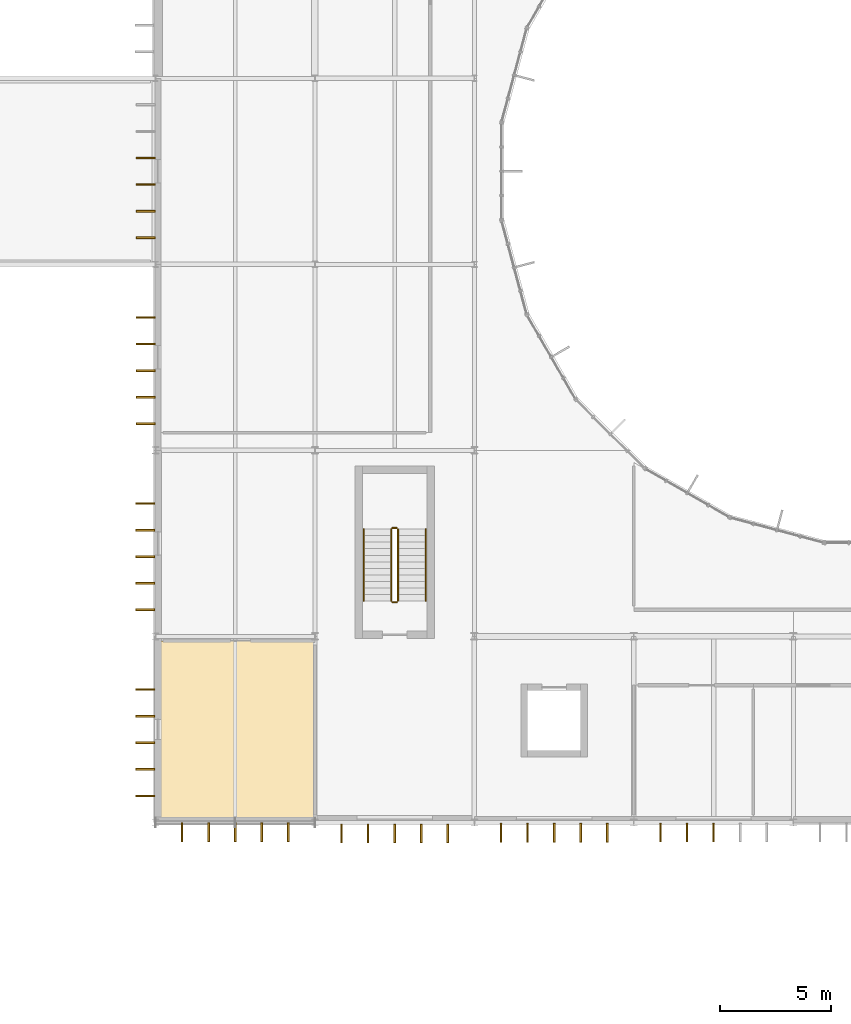
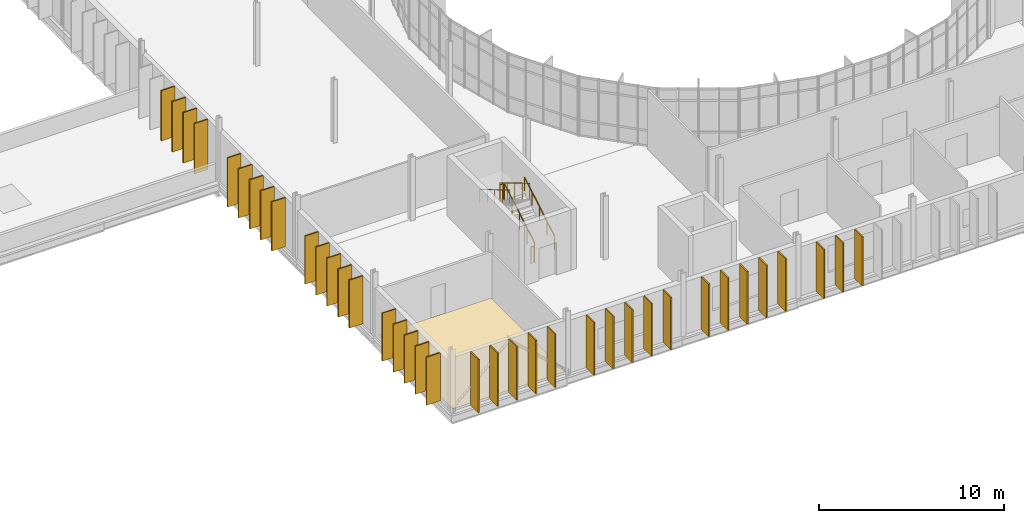
# One storey, part 52 of 61: 37 shading devices, 6 railings, 1 covering.
"""IFC4 building model written with IfcOpenShell, lengths in metres."""

from ifc_helpers import new_model, si_unit, direction, frame, origin, origin_2d, place, context, subcontext, project, spatial, polyline, rectangle, circle, outline, extrude, material, layer, layer_set, type_object, element, save


model = new_model("IFC4")

# Units and contexts
model_context = context("Model", 3, precision=1e-05, world=origin(), true_north=direction((0.0, 1.0)))
body_context = subcontext(model_context, "Body", "Model", "MODEL_VIEW")
ifc_project = project(units=[si_unit("LENGTHUNIT", "METRE"), si_unit("AREAUNIT", "SQUARE_METRE"), si_unit("VOLUMEUNIT", "CUBIC_METRE"), si_unit("PLANEANGLEUNIT", "RADIAN"), si_unit("MASSUNIT", "GRAM", prefix="KILO")], contexts=[model_context])

# Site, building, storey
site_placement = place(None, origin())
site = spatial("IfcSite", under=ifc_project, at=site_placement, CompositionType="ELEMENT")
building_placement = place(site_placement, origin())
building = spatial("IfcBuilding", under=site, at=building_placement, Name="Qelthora Terrace Specialist Clinic", CompositionType="ELEMENT")
storey_placement = place(building_placement, frame((0.0, 0.0, 13.199951171875)))
storey = spatial("IfcBuildingStorey", under=building, at=storey_placement, Name="L03", CompositionType="ELEMENT", Elevation=13.199951171875)

# Covering
ifc_material_1 = material(Name="Antimicrobial clinical linoleum flooring", Category="other")
ifc_layer = layer(ifc_material_1, 0.011962890625)
ifc_layer_set = layer_set([ifc_layer], Name="Antimicrobial clinical linoleum flooring")
covering_type = type_object("IfcCoveringType", Name="COV-FLR-LINO-12", PredefinedType="FLOORING", material=ifc_layer_set)
covering_placement = place(storey_placement, origin())
element("IfcCovering", 1, at=covering_placement, inside=storey, type_object=covering_type, Name="Minor Ophthalmic Laser Room L03-30 resilient linoleum flooring", PredefinedType="FLOORING", context=body_context, shape_type="SweptSolid", body=[
    extrude(outline(polyline([(93.75, 33.75), (93.75, 41.800048828125), (100.800048828125, 41.800048828125), (100.800048828125, 33.75), (93.75, 33.75)])), origin(), (0.0, 0.0, 1.0), 0.011962890625),
])

# Railings
ifc_material_2 = material(Name="Steel S355", Category="steel")
railing_type_1 = type_object("IfcRailingType", Name="RAL-GD-1100-S355", PredefinedType="GUARDRAIL", material=ifc_material_2)
railing_1_placement = place(storey_placement, frame((104.550048828125, 43.60009765625, 0.175048828125)))
element("IfcRailing", 2, at=railing_1_placement, inside=storey, type_object=railing_type_1, Name="L03 ST-05 stair guard 1", PredefinedType="GUARDRAIL", context=body_context, shape_type="SweptSolid", body=[
    extrude(circle(Radius=0.02392578125, at=origin_2d()), frame((0.0, 0.0, 1.076171875), z_axis=(0.0, 0.860040215814, 0.510226250974), x_axis=(-1.0, 0.0, 0.0)), (0.0, 0.0, 1.0), 3.77294921875),
    extrude(circle(Radius=0.02099609375, at=origin_2d()), origin(), (0.0, 0.0, 1.0), 1.052001953125),
    extrude(circle(Radius=0.02099609375, at=origin_2d()), frame((0.0, 0.811279296875, 0.481201171875)), (0.0, 0.0, 1.0), 1.052001953125),
    extrude(circle(Radius=0.02099609375, at=origin_2d()), frame((0.0, 1.62255859375, 0.96240234375)), (0.0, 0.0, 1.0), 1.052001953125),
    extrude(circle(Radius=0.02099609375, at=origin_2d()), frame((0.0, 2.43359375, 1.44384765625)), (0.0, 0.0, 1.0), 1.052001953125),
    extrude(circle(Radius=0.02099609375, at=origin_2d()), frame((0.0, 3.244873046875, 1.925048828125)), (0.0, 0.0, 1.0), 1.052001953125),
])
railing_2_placement = place(storey_placement, frame((104.5, 46.89501953125, 2.10009765625)))
element("IfcRailing", 3, at=railing_2_placement, inside=storey, type_object=railing_type_1, Name="L03 ST-05 stair guard 2", PredefinedType="GUARDRAIL", context=body_context, shape_type="SweptSolid", body=[
    extrude(circle(Radius=0.02392578125, at=origin_2d()), frame((0.0, 0.0, 1.076171875), z_axis=(-1.0, 0.0, 0.0), x_axis=(0.0, -1.0, 0.0)), (0.0, 0.0, 1.0), 0.199951171875),
    extrude(circle(Radius=0.02099609375, at=origin_2d()), origin(), (0.0, 0.0, 1.0), 1.052001953125),
    extrude(circle(Radius=0.02099609375, at=origin_2d()), frame((-0.199951171875, 0.0, 0.0)), (0.0, 0.0, 1.0), 1.052001953125),
])
railing_3_placement = place(storey_placement, frame((104.25, 46.844970703125, 2.275146484375)))
element("IfcRailing", 4, at=railing_3_placement, inside=storey, type_object=railing_type_1, Name="L03 ST-05 stair guard 3", PredefinedType="GUARDRAIL", context=body_context, shape_type="SweptSolid", body=[
    extrude(circle(Radius=0.02392578125, at=origin_2d()), frame((0.0, 0.0, 1.076171875), z_axis=(0.0, -0.860068610471, 0.510178385746), x_axis=(1.0, 0.0, 0.0)), (0.0, 0.0, 1.0), 3.772705078125),
    extrude(circle(Radius=0.02099609375, at=origin_2d()), origin(), (0.0, 0.0, 1.0), 1.052001953125),
    extrude(circle(Radius=0.02099609375, at=origin_2d()), frame((0.0, -0.811279296875, 0.481201171875)), (0.0, 0.0, 1.0), 1.052001953125),
    extrude(circle(Radius=0.02099609375, at=origin_2d()), frame((0.0, -1.62255859375, 0.96240234375)), (0.0, 0.0, 1.0), 1.052001953125),
    extrude(circle(Radius=0.02099609375, at=origin_2d()), frame((0.0, -2.43359375, 1.443603515625)), (0.0, 0.0, 1.0), 1.052001953125),
    extrude(circle(Radius=0.02099609375, at=origin_2d()), frame((0.0, -3.244873046875, 1.9248046875)), (0.0, 0.0, 1.0), 1.052001953125),
])
railing_4_placement = place(storey_placement, frame((104.5, 43.550048828125, 0.0)))
element("IfcRailing", 5, at=railing_4_placement, inside=storey, type_object=railing_type_1, Name="L03 ST-05 stair guard 4", PredefinedType="GUARDRAIL", context=body_context, shape_type="SweptSolid", body=[
    extrude(circle(Radius=0.02392578125, at=origin_2d()), frame((0.0, 0.0, 1.076171875), z_axis=(-1.0, 0.0, 0.0), x_axis=(0.0, -1.0, 0.0)), (0.0, 0.0, 1.0), 0.199951171875),
    extrude(circle(Radius=0.02099609375, at=origin_2d()), origin(), (0.0, 0.0, 1.0), 1.052001953125),
    extrude(circle(Radius=0.02099609375, at=origin_2d()), frame((-0.199951171875, 0.0, 0.0)), (0.0, 0.0, 1.0), 1.052001953125),
])
railing_type_2 = type_object("IfcRailingType", Name="RAL-HR-900-S355", PredefinedType="HANDRAIL", material=ifc_material_2)
railing_5_placement = place(storey_placement, frame((105.800048828125, 43.60009765625, 0.3681640625)))
element("IfcRailing", 6, at=railing_5_placement, inside=storey, type_object=railing_type_2, Name="L03 ST-05 stair handrail 1", PredefinedType="HANDRAIL", context=body_context, shape_type="SweptSolid", body=[
    extrude(circle(Radius=0.02392578125, at=origin_2d()), frame((0.0, 0.0, 0.8759765625), z_axis=(0.0, 0.860068610471, 0.510178385746), x_axis=(-1.0, 0.0, 0.0)), (0.0, 0.0, 1.0), 3.772705078125),
    extrude(circle(Radius=0.02099609375, at=origin_2d()), origin(), (0.0, 0.0, 1.0), 0.851806640625),
    extrude(circle(Radius=0.02099609375, at=origin_2d()), frame((0.0, 0.811279296875, 0.481201171875)), (0.0, 0.0, 1.0), 0.851806640625),
    extrude(circle(Radius=0.02099609375, at=origin_2d()), frame((0.0, 1.62255859375, 0.96240234375)), (0.0, 0.0, 1.0), 0.851806640625),
    extrude(circle(Radius=0.02099609375, at=origin_2d()), frame((0.0, 2.43359375, 1.443603515625)), (0.0, 0.0, 1.0), 0.851806640625),
    extrude(circle(Radius=0.02099609375, at=origin_2d()), frame((0.0, 3.244873046875, 1.9248046875)), (0.0, 0.0, 1.0), 0.851806640625),
])
railing_6_placement = place(storey_placement, frame((103.0, 46.844970703125, 2.468017578125)))
element("IfcRailing", 7, at=railing_6_placement, inside=storey, type_object=railing_type_2, Name="L03 ST-05 stair handrail 2", PredefinedType="HANDRAIL", context=body_context, shape_type="SweptSolid", body=[
    extrude(circle(Radius=0.02392578125, at=origin_2d()), frame((0.0, 0.0, 0.8759765625), z_axis=(0.0, -0.860040215814, 0.510226250974), x_axis=(1.0, 0.0, 0.0)), (0.0, 0.0, 1.0), 3.77294921875),
    extrude(circle(Radius=0.02099609375, at=origin_2d()), origin(), (0.0, 0.0, 1.0), 0.851806640625),
    extrude(circle(Radius=0.02099609375, at=origin_2d()), frame((0.0, -0.811279296875, 0.481201171875)), (0.0, 0.0, 1.0), 0.851806640625),
    extrude(circle(Radius=0.02099609375, at=origin_2d()), frame((0.0, -1.62255859375, 0.96240234375)), (0.0, 0.0, 1.0), 0.851806640625),
    extrude(circle(Radius=0.02099609375, at=origin_2d()), frame((0.0, -2.43359375, 1.44384765625)), (0.0, 0.0, 1.0), 0.851806640625),
    extrude(circle(Radius=0.02099609375, at=origin_2d()), frame((0.0, -3.244873046875, 1.925048828125)), (0.0, 0.0, 1.0), 0.851806640625),
])

# Shading devices
ifc_material_3 = material(Name="Glulam timber GL28h", Category="wood")
shading_device_type = type_object("IfcShadingDeviceType", Name="SHD-FIN-850", PredefinedType="USERDEFINED", material=ifc_material_3)
for number, where, z_axis, x_axis, name in (
    (8, (94.800048828125, 33.1650390625, 0.0), (0.0, 0.0, 1.0), (0.0, -1.0, 0.0), "Exterior solar shading fin FIN-1467"),
    (9, (96.0, 33.1650390625, 0.0), (0.0, 0.0, 1.0), (0.0, -1.0, 0.0), "Exterior solar shading fin FIN-1468"),
    (10, (97.199951171875, 33.1650390625, 0.0), (0.0, 0.0, 1.0), (0.0, -1.0, 0.0), "Exterior solar shading fin FIN-1469"),
    (11, (98.39990234375, 33.1650390625, 0.0), (0.0, 0.0, 1.0), (0.0, -1.0, 0.0), "Exterior solar shading fin FIN-1470"),
    (12, (99.60009765625, 33.1650390625, 0.0), (0.0, 0.0, 1.0), (0.0, -1.0, 0.0), "Exterior solar shading fin FIN-1471"),
):
    element("IfcShadingDevice", number, at=place(storey_placement, frame(where, z_axis=z_axis, x_axis=x_axis)), inside=storey, type_object=shading_device_type, Name=name, ObjectType="FIN", PredefinedType="USERDEFINED", context=body_context, shape_type="SweptSolid", body=[
        extrude(rectangle(XDim=0.85009765625, YDim=0.080078125, at=origin_2d()), origin(), (0.0, 0.0, 1.0), 3.529052734375),
    ])
for number, where, z_axis, x_axis, name in (
    (13, (102.0, 33.10498046875, 0.0), (0.0, 0.0, 1.0), (0.0, -1.0, 0.0), "Exterior solar shading fin FIN-1472"),
    (14, (103.199951171875, 33.10498046875, 0.0), (0.0, 0.0, 1.0), (0.0, -1.0, 0.0), "Exterior solar shading fin FIN-1473"),
    (15, (104.39990234375, 33.10498046875, 0.0), (0.0, 0.0, 1.0), (0.0, -1.0, 0.0), "Exterior solar shading fin FIN-1474"),
    (16, (105.60009765625, 33.10498046875, 0.0), (0.0, 0.0, 1.0), (0.0, -1.0, 0.0), "Exterior solar shading fin FIN-1475"),
    (17, (106.800048828125, 33.10498046875, 0.0), (0.0, 0.0, 1.0), (0.0, -1.0, 0.0), "Exterior solar shading fin FIN-1476"),
    (18, (109.199951171875, 33.135009765625, 0.0), (0.0, 0.0, 1.0), (0.0, -1.0, 0.0), "Exterior solar shading fin FIN-1477"),
    (19, (110.39990234375, 33.135009765625, 0.0), (0.0, 0.0, 1.0), (0.0, -1.0, 0.0), "Exterior solar shading fin FIN-1478"),
    (20, (111.60009765625, 33.135009765625, 0.0), (0.0, 0.0, 1.0), (0.0, -1.0, 0.0), "Exterior solar shading fin FIN-1479"),
    (21, (112.800048828125, 33.135009765625, 0.0), (0.0, 0.0, 1.0), (0.0, -1.0, 0.0), "Exterior solar shading fin FIN-1480"),
    (22, (114.0, 33.135009765625, 0.0), (0.0, 0.0, 1.0), (0.0, -1.0, 0.0), "Exterior solar shading fin FIN-1481"),
):
    element("IfcShadingDevice", number, at=place(storey_placement, frame(where, z_axis=z_axis, x_axis=x_axis)), inside=storey, type_object=shading_device_type, Name=name, ObjectType="FIN", PredefinedType="USERDEFINED", context=body_context, shape_type="SweptSolid", body=[
        extrude(rectangle(XDim=0.85009765625, YDim=0.080078125, at=origin_2d()), origin(), (0.0, 0.0, 1.0), 3.48193359375),
    ])
for number, where, z_axis, x_axis, name in (
    (23, (116.39990234375, 33.14501953125, 0.0), (0.0, 0.0, 1.0), (0.0, -1.0, 0.0), "Exterior solar shading fin FIN-1482"),
    (24, (117.60009765625, 33.14501953125, 0.0), (0.0, 0.0, 1.0), (0.0, -1.0, 0.0), "Exterior solar shading fin FIN-1483"),
    (25, (118.800048828125, 33.14501953125, 0.0), (0.0, 0.0, 1.0), (0.0, -1.0, 0.0), "Exterior solar shading fin FIN-1484"),
):
    element("IfcShadingDevice", number, at=place(storey_placement, frame(where, z_axis=z_axis, x_axis=x_axis)), inside=storey, type_object=shading_device_type, Name=name, ObjectType="FIN", PredefinedType="USERDEFINED", context=body_context, shape_type="SweptSolid", body=[
        extrude(rectangle(XDim=0.85009765625, YDim=0.080078125, at=origin_2d()), origin(), (0.0, 0.0, 1.0), 3.2490234375),
    ])
for number, where, z_axis, x_axis, name in (
    (26, (93.135009765625, 34.800048828125, 0.0), (0.0, 0.0, 1.0), (-1.0, 0.0, 0.0), "Exterior solar shading fin FIN-1500"),
    (27, (93.135009765625, 36.0, 0.0), (0.0, 0.0, 1.0), (-1.0, 0.0, 0.0), "Exterior solar shading fin FIN-1501"),
    (28, (93.135009765625, 37.199951171875, 0.0), (0.0, 0.0, 1.0), (-1.0, 0.0, 0.0), "Exterior solar shading fin FIN-1502"),
    (29, (93.135009765625, 38.39990234375, 0.0), (0.0, 0.0, 1.0), (-1.0, 0.0, 0.0), "Exterior solar shading fin FIN-1503"),
    (30, (93.135009765625, 39.60009765625, 0.0), (0.0, 0.0, 1.0), (-1.0, 0.0, 0.0), "Exterior solar shading fin FIN-1504"),
    (31, (93.14501953125, 43.199951171875, 0.0), (0.0, 0.0, 1.0), (-1.0, 0.0, 0.0), "Exterior solar shading fin FIN-1505"),
    (32, (93.14501953125, 44.39990234375, 0.0), (0.0, 0.0, 1.0), (-1.0, 0.0, 0.0), "Exterior solar shading fin FIN-1506"),
    (33, (93.14501953125, 45.60009765625, 0.0), (0.0, 0.0, 1.0), (-1.0, 0.0, 0.0), "Exterior solar shading fin FIN-1507"),
    (34, (93.14501953125, 46.800048828125, 0.0), (0.0, 0.0, 1.0), (-1.0, 0.0, 0.0), "Exterior solar shading fin FIN-1508"),
    (35, (93.14501953125, 48.0, 0.0), (0.0, 0.0, 1.0), (-1.0, 0.0, 0.0), "Exterior solar shading fin FIN-1509"),
):
    element("IfcShadingDevice", number, at=place(storey_placement, frame(where, z_axis=z_axis, x_axis=x_axis)), inside=storey, type_object=shading_device_type, Name=name, ObjectType="FIN", PredefinedType="USERDEFINED", context=body_context, shape_type="SweptSolid", body=[
        extrude(rectangle(XDim=0.85009765625, YDim=0.080078125, at=origin_2d()), origin(), (0.0, 0.0, 1.0), 3.172119140625),
    ])
for number, where, z_axis, x_axis, name in (
    (36, (93.155029296875, 51.60009765625, 0.0), (0.0, 0.0, 1.0), (-1.0, 0.0, 0.0), "Exterior solar shading fin FIN-1510"),
    (37, (93.155029296875, 52.800048828125, 0.0), (0.0, 0.0, 1.0), (-1.0, 0.0, 0.0), "Exterior solar shading fin FIN-1511"),
    (38, (93.155029296875, 54.0, 0.0), (0.0, 0.0, 1.0), (-1.0, 0.0, 0.0), "Exterior solar shading fin FIN-1512"),
    (39, (93.155029296875, 55.199951171875, 0.0), (0.0, 0.0, 1.0), (-1.0, 0.0, 0.0), "Exterior solar shading fin FIN-1513"),
    (40, (93.155029296875, 56.39990234375, 0.0), (0.0, 0.0, 1.0), (-1.0, 0.0, 0.0), "Exterior solar shading fin FIN-1514"),
):
    element("IfcShadingDevice", number, at=place(storey_placement, frame(where, z_axis=z_axis, x_axis=x_axis)), inside=storey, type_object=shading_device_type, Name=name, ObjectType="FIN", PredefinedType="USERDEFINED", context=body_context, shape_type="SweptSolid", body=[
        extrude(rectangle(XDim=0.85009765625, YDim=0.080078125, at=origin_2d()), origin(), (0.0, 0.0, 1.0), 3.2490234375),
    ])
for number, where, z_axis, x_axis, name in (
    (41, (93.1650390625, 60.0, 0.0), (0.0, 0.0, 1.0), (-1.0, 0.0, 0.0), "Exterior solar shading fin FIN-1515"),
    (42, (93.1650390625, 61.199951171875, 0.0), (0.0, 0.0, 1.0), (-1.0, 0.0, 0.0), "Exterior solar shading fin FIN-1516"),
    (43, (93.1650390625, 62.39990234375, 0.0), (0.0, 0.0, 1.0), (-1.0, 0.0, 0.0), "Exterior solar shading fin FIN-1517"),
    (44, (93.1650390625, 63.60009765625, 0.0), (0.0, 0.0, 1.0), (-1.0, 0.0, 0.0), "Exterior solar shading fin FIN-1518"),
):
    element("IfcShadingDevice", number, at=place(storey_placement, frame(where, z_axis=z_axis, x_axis=x_axis)), inside=storey, type_object=shading_device_type, Name=name, ObjectType="FIN", PredefinedType="USERDEFINED", context=body_context, shape_type="SweptSolid", body=[
        extrude(rectangle(XDim=0.85009765625, YDim=0.080078125, at=origin_2d()), origin(), (0.0, 0.0, 1.0), 3.324951171875),
    ])

save(model, "model.ifc")
